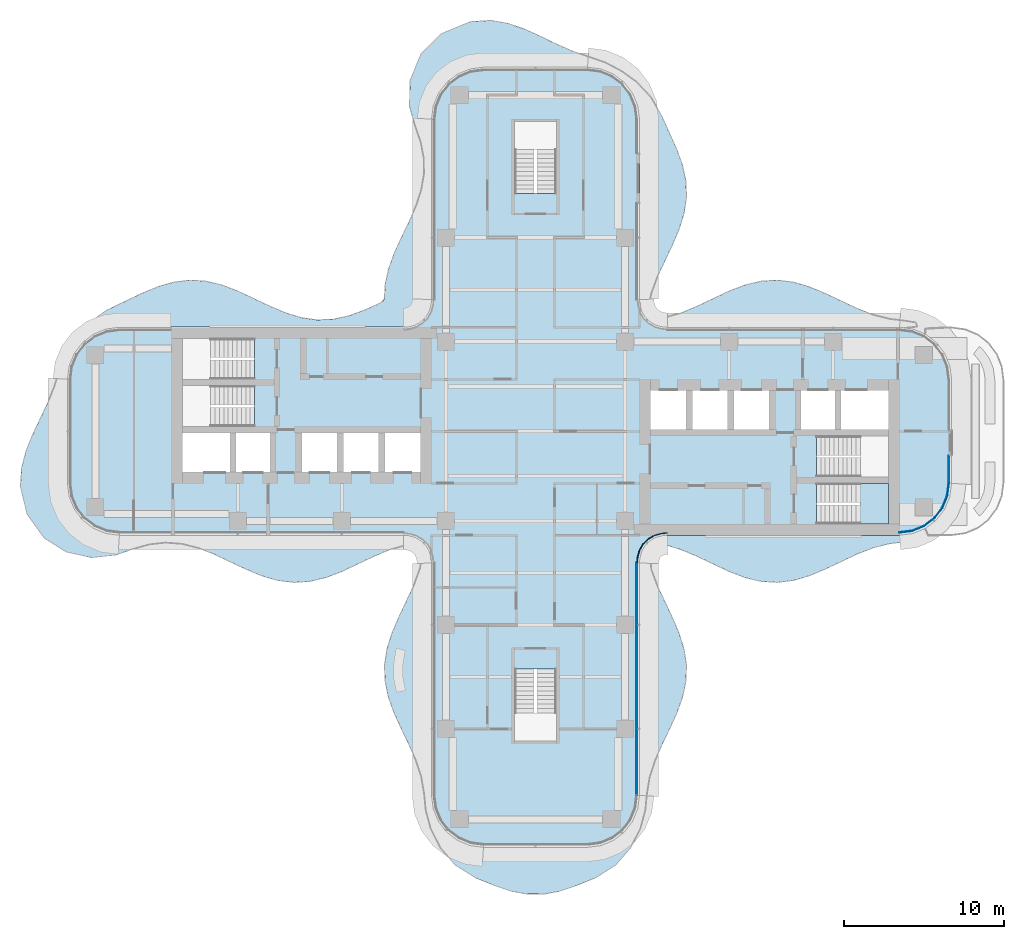
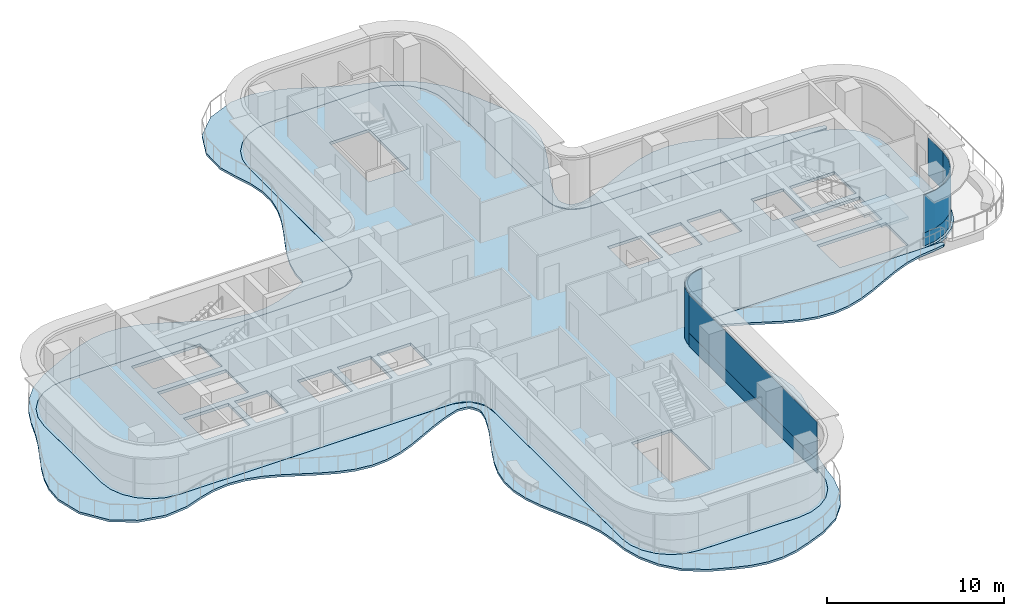
# One storey, part 10 of 17: 6 plates, 3 slabs, 5 elements without a shape of their own.
"""IFC4 building model written with IfcOpenShell, lengths in metres."""

from ifc_helpers import new_model, si_unit, direction, frame, origin, place, context, subcontext, project, spatial, polyline, outline, extrude, source, transform, mapped, material, layer, layer_set, type_object, element, aggregate, save


model = new_model("IFC4")

# Units and contexts
model_context = context("Model", 3, precision=1e-05, world=origin(), true_north=direction((0.0, 1.0)))
body_context = subcontext(model_context, "Body", "Model", "MODEL_VIEW")
ifc_project = project(units=[si_unit("LENGTHUNIT", "METRE"), si_unit("AREAUNIT", "SQUARE_METRE"), si_unit("VOLUMEUNIT", "CUBIC_METRE"), si_unit("PLANEANGLEUNIT", "RADIAN"), si_unit("MASSUNIT", "GRAM", prefix="KILO")], contexts=[model_context])

# Site, building, storey
site_placement = place(None, origin())
site = spatial("IfcSite", under=ifc_project, at=site_placement, CompositionType="ELEMENT")
building_placement = place(site_placement, origin())
building = spatial("IfcBuilding", under=site, at=building_placement, Name="Trellis Farm Tower", CompositionType="ELEMENT")
storey_placement = place(building_placement, frame((0.0, 0.0, 220.699951171875)))
storey = spatial("IfcBuildingStorey", under=building, at=storey_placement, Name="L48", CompositionType="ELEMENT", Elevation=220.699951171875)

# Slab
ifc_material_1 = material(Name="Concrete C40/50", Category="concrete")
ifc_layer_1 = layer(ifc_material_1, 0.14990234375)
ifc_layer_set_1 = layer_set([ifc_layer_1], Name="Balcony slab 150")
slab_type_1 = type_object("IfcSlabType", Name="Balcony slab 150", PredefinedType="FLOOR", material=ifc_layer_set_1)
slab_1_placement = place(storey_placement, frame((0.0, 0.0, -0.14990234375)))
element("IfcSlab", 1, at=slab_1_placement, inside=storey, type_object=slab_type_1, Name="Balcony slab", PredefinedType="FLOOR", context=body_context, shape_type="SweptSolid", body=[
    extrude(outline(polyline([(-22.076171875, -7.035400390625), (-23.122802734375, -6.95458984375), (-23.13720703125, -6.955078125), (-24.118408203125, -7.066162109375), (-24.130126953125, -7.068603515625), (-25.104736328125, -7.341064453125), (-25.109130859375, -7.342529296875), (-26.20458984375, -7.724609375), (-26.23779296875, -7.732177734375), (-27.6923828125, -7.89111328125), (-27.740478515625, -7.888427734375), (-29.274658203125, -7.55224609375), (-29.3212890625, -7.533447265625), (-30.644287109375, -6.7177734375), (-30.66796875, -6.699462890625), (-30.696044921875, -6.673095703125), (-30.7158203125, -6.650634765625), (-31.75830078125, -5.189697265625), (-31.772705078125, -5.16455078125), (-31.7880859375, -5.130615234375), (-31.79736328125, -5.103271484375), (-32.18212890625, -3.4912109375), (-32.185791015625, -3.446533203125), (-32.10888671875, -2.28173828125), (-32.104248046875, -2.253173828125), (-31.839599609375, -1.2509765625), (-31.833740234375, -1.233642578125), (-31.44189453125, -0.252197265625), (-31.43798828125, -0.243408203125), (-30.4921875, 1.7529296875), (-30.490478515625, 1.756591796875), (-30.0849609375, 2.754150390625), (-30.0830078125, 2.75927734375), (-29.7392578125, 3.813232421875), (-29.735107421875, 3.823974609375), (-29.310302734375, 4.8544921875), (-29.30078125, 4.8740234375), (-28.708984375, 5.87109375), (-28.6923828125, 5.893798828125), (-27.921630859375, 6.765625), (-27.8955078125, 6.7890625), (-26.7958984375, 7.563232421875), (-26.7744140625, 7.57568359375), (-24.6015625, 8.616943359375), (-24.593994140625, 8.6201171875), (-23.601318359375, 9.031982421875), (-23.585693359375, 9.037353515625), (-22.6015625, 9.322021484375), (-22.577880859375, 9.326904296875), (-21.602294921875, 9.444580078125), (-21.57470703125, 9.445556640625), (-20.603515625, 9.38232421875), (-20.578369140625, 9.37841796875), (-19.626708984375, 9.150634765625), (-19.6083984375, 9.14501953125), (-18.607177734375, 8.76513671875), (-18.59619140625, 8.760498046875), (-16.617919921875, 7.82568359375), (-16.614990234375, 7.824462890625), (-15.630615234375, 7.406982421875), (-15.623291015625, 7.404296875), (-14.642822265625, 7.104248046875), (-14.631591796875, 7.101806640625), (-13.650634765625, 6.961181640625), (-13.636962890625, 6.960693359375), (-12.64990234375, 7.0009765625), (-12.636962890625, 7.002685546875), (-11.641357421875, 7.221923828125), (-11.631591796875, 7.224853515625), (-10.60498046875, 7.60302734375), (-10.599609375, 7.60546875), (-9.640625, 8.046875), (-9.626220703125, 8.0556640625), (-9.522216796875, 8.1357421875), (-9.501220703125, 8.16162109375), (-9.446044921875, 8.272216796875), (-9.4384765625, 8.302490234375), (-9.40576171875, 9.106201171875), (-9.402587890625, 9.13134765625), (-9.19482421875, 10.1044921875), (-9.189208984375, 10.124267578125), (-8.835693359375, 11.103271484375), (-8.831298828125, 11.114501953125), (-8.38134765625, 12.101806640625), (-8.3798828125, 12.104736328125), (-7.8974609375, 13.105224609375), (-7.896240234375, 13.10791015625), (-7.458251953125, 14.112548828125), (-7.455810546875, 14.119140625), (-7.14453125, 15.06884765625), (-7.14208984375, 15.079345703125), (-6.972900390625, 16.059814453125), (-6.9716796875, 16.0732421875), (-6.9814453125, 17.058837890625), (-6.98291015625, 17.072265625), (-7.173583984375, 18.066650390625), (-7.17626953125, 18.076904296875), (-7.52880859375, 19.09619140625), (-7.53125, 19.103271484375), (-7.8701171875, 20.263671875), (-7.876220703125, 20.30859375), (-7.84619140625, 21.885986328125), (-7.843017578125, 21.9140625), (-7.835693359375, 21.948486328125), (-7.82763671875, 21.974853515625), (-7.194091796875, 23.516357421875), (-7.18017578125, 23.542724609375), (-7.15869140625, 23.57470703125), (-7.1396484375, 23.597900390625), (-5.887451171875, 24.841796875), (-5.86474609375, 24.860107421875), (-5.83349609375, 24.881103515625), (-5.806884765625, 24.89501953125), (-4.121337890625, 25.5791015625), (-4.07470703125, 25.589599609375), (-2.790283203125, 25.673828125), (-2.75390625, 25.671875), (-1.750244140625, 25.491455078125), (-1.728515625, 25.48583984375), (-0.751220703125, 25.15380859375), (-0.73876953125, 25.14892578125), (0.2421875, 24.71337890625), (0.24658203125, 24.711181640625), (1.24072265625, 24.23095703125), (1.24267578125, 24.230224609375), (2.226318359375, 23.787353515625), (2.232666015625, 23.784912109375), (4.3564453125, 23.04833984375), (4.377197265625, 23.03955078125), (5.372314453125, 22.515869140625), (5.390380859375, 22.504638671875), (6.29931640625, 21.847900390625), (6.320068359375, 21.82958984375), (7.1875, 20.91748046875), (7.208740234375, 20.888916015625), (7.880859375, 19.72021484375), (7.887451171875, 19.707275390625), (8.831298828125, 17.6142578125), (8.835693359375, 17.603515625), (9.189208984375, 16.624267578125), (9.19482421875, 16.6044921875), (9.40234375, 15.63232421875), (9.405517578125, 15.606201171875), (9.438720703125, 14.635009765625), (9.43701171875, 14.607421875), (9.289794921875, 13.630615234375), (9.284423828125, 13.608154296875), (8.97509765625, 12.62255859375), (8.969970703125, 12.6083984375), (8.539306640625, 11.606689453125), (8.537109375, 11.60205078125), (7.60546875, 9.624755859375), (7.60302734375, 9.61865234375), (7.224853515625, 8.586181640625), (7.221435546875, 8.57373046875), (7.106201171875, 7.93701171875), (7.106201171875, 7.90966796875), (7.14794921875, 7.690185546875), (7.157958984375, 7.664794921875), (7.35791015625, 7.341796875), (7.3681640625, 7.328857421875), (7.458251953125, 7.237060546875), (7.485595703125, 7.21923828125), (7.606689453125, 7.1748046875), (7.622802734375, 7.1708984375), (8.080078125, 7.111083984375), (8.096435546875, 7.11083984375), (8.23095703125, 7.122802734375), (8.246826171875, 7.125732421875), (9.0908203125, 7.39208984375), (9.097412109375, 7.39453125), (10.114990234375, 7.824462890625), (10.117919921875, 7.82568359375), (12.10791015625, 8.765380859375), (12.11865234375, 8.77001953125), (13.0869140625, 9.138427734375), (13.105224609375, 9.14404296875), (14.078125, 9.37841796875), (14.10400390625, 9.38232421875), (15.106689453125, 9.444580078125), (15.134765625, 9.443603515625), (16.10546875, 9.3212890625), (16.128662109375, 9.31640625), (17.085693359375, 9.037353515625), (17.101318359375, 9.031982421875), (18.102783203125, 8.616455078125), (18.109375, 8.61328125), (20.08740234375, 7.6767578125), (20.092041015625, 7.6748046875), (21.07470703125, 7.290771484375), (21.08349609375, 7.287841796875), (22.1162109375, 7.027099609375), (22.12548828125, 7.025146484375), (23.154052734375, 6.901123046875), (23.160888671875, 6.900146484375), (23.771484375, 6.7978515625), (23.864990234375, 6.7421875), (23.89599609375, 6.6376953125), (23.84814453125, 6.53955078125), (23.74658203125, 6.5), (22.754638671875, 6.5), (22.75, 6.50048828125), (20.997802734375, 6.50048828125), (8.16357421875, 6.507568359375), (8.116455078125, 6.515380859375), (7.252685546875, 6.802001953125), (7.210693359375, 6.823974609375), (7.16552734375, 6.857421875), (7.133056640625, 6.890380859375), (6.643798828125, 7.5703125), (6.62548828125, 7.604248046875), (6.608154296875, 7.64990234375), (6.59912109375, 7.6875), (6.501953125, 8.593017578125), (6.5009765625, 8.609130859375), (6.50048828125, 12.591552734375), (6.50048828125, 19.5), (6.389892578125, 20.34130859375), (6.065185546875, 21.125244140625), (5.548583984375, 21.798583984375), (4.875244140625, 22.315185546875), (4.09130859375, 22.639892578125), (3.25, 22.75048828125), (-3.25, 22.75048828125), (-4.09130859375, 22.639892578125), (-4.875244140625, 22.315185546875), (-5.548583984375, 21.798583984375), (-6.065185546875, 21.125244140625), (-6.389892578125, 20.34130859375), (-6.50048828125, 19.5), (-6.50048828125, 18.26318359375), (-6.508056640625, 8.158203125), (-6.515869140625, 8.110595703125), (-6.8046875, 7.248046875), (-6.82666015625, 7.205810546875), (-6.860595703125, 7.16064453125), (-6.8935546875, 7.12841796875), (-7.575927734375, 6.64208984375), (-7.60986328125, 6.623779296875), (-7.6552734375, 6.606689453125), (-7.69287109375, 6.59765625), (-8.61767578125, 6.500732421875), (-8.62158203125, 6.50048828125), (-26.0, 6.50048828125), (-26.84130859375, 6.389892578125), (-27.625244140625, 6.065185546875), (-28.298583984375, 5.548583984375), (-28.815185546875, 4.875244140625), (-29.139892578125, 4.09130859375), (-29.25048828125, 3.25), (-29.25048828125, -3.25), (-29.139892578125, -4.09130859375), (-28.815185546875, -4.875244140625), (-28.298583984375, -5.548583984375), (-27.625244140625, -6.065185546875), (-26.84130859375, -6.389892578125), (-26.0, -6.50048828125), (-23.765869140625, -6.50048828125), (-8.16357421875, -6.507568359375), (-8.116455078125, -6.515380859375), (-7.252685546875, -6.802001953125), (-7.210693359375, -6.823974609375), (-7.16552734375, -6.857421875), (-7.133056640625, -6.890380859375), (-6.643798828125, -7.5703125), (-6.62548828125, -7.604248046875), (-6.608154296875, -7.64990234375), (-6.59912109375, -7.6875), (-6.501953125, -8.593017578125), (-6.5009765625, -8.609130859375), (-6.50048828125, -14.179931640625), (-6.50048828125, -22.75), (-6.389892578125, -23.59130859375), (-6.065185546875, -24.375244140625), (-5.548583984375, -25.048583984375), (-4.875244140625, -25.565185546875), (-4.09130859375, -25.889892578125), (-3.25, -26.00048828125), (3.25, -26.00048828125), (4.09130859375, -25.889892578125), (4.875244140625, -25.565185546875), (5.548583984375, -25.048583984375), (6.065185546875, -24.375244140625), (6.389892578125, -23.59130859375), (6.50048828125, -22.75), (6.50048828125, -8.616455078125), (6.500732421875, -8.61181640625), (6.59912109375, -7.6875), (6.608154296875, -7.64990234375), (6.62548828125, -7.604248046875), (6.643798828125, -7.5703125), (7.133056640625, -6.890380859375), (7.16552734375, -6.857421875), (7.210693359375, -6.823974609375), (7.252685546875, -6.802001953125), (8.116455078125, -6.515380859375), (8.16357421875, -6.507568359375), (20.997802734375, -6.50048828125), (22.75, -6.50048828125), (22.754638671875, -6.5), (23.74658203125, -6.5), (23.84814453125, -6.53955078125), (23.89599609375, -6.6376953125), (23.864990234375, -6.7421875), (23.771484375, -6.7978515625), (23.160888671875, -6.900146484375), (23.154052734375, -6.901123046875), (22.12548828125, -7.025390625), (22.1162109375, -7.02685546875), (21.125, -7.274658203125), (21.1162109375, -7.27734375), (20.09228515625, -7.6748046875), (20.087158203125, -7.6767578125), (18.109375, -8.61328125), (18.102783203125, -8.616455078125), (17.119384765625, -9.025390625), (17.10400390625, -9.031005859375), (16.12890625, -9.31640625), (16.10546875, -9.3212890625), (15.134765625, -9.443603515625), (15.106689453125, -9.444580078125), (14.10400390625, -9.38232421875), (14.078125, -9.37841796875), (13.105224609375, -9.14404296875), (13.0869140625, -9.138427734375), (12.107177734375, -8.76513671875), (12.096435546875, -8.760498046875), (10.117919921875, -7.82568359375), (10.114990234375, -7.824462890625), (9.12841796875, -7.406005859375), (9.121826171875, -7.40380859375), (8.246826171875, -7.1259765625), (8.23095703125, -7.122802734375), (8.096435546875, -7.11083984375), (8.080078125, -7.111083984375), (7.622802734375, -7.1708984375), (7.606689453125, -7.1748046875), (7.485595703125, -7.21923828125), (7.458251953125, -7.237060546875), (7.3681640625, -7.328857421875), (7.35791015625, -7.341796875), (7.157958984375, -7.664794921875), (7.14794921875, -7.690185546875), (7.1064453125, -7.909423828125), (7.1064453125, -7.93701171875), (7.23779296875, -8.633056640625), (7.2412109375, -8.645263671875), (7.60302734375, -9.61865234375), (7.60546875, -9.62451171875), (8.537109375, -11.602294921875), (8.539306640625, -11.606689453125), (8.9638671875, -12.591796875), (8.968994140625, -12.606201171875), (9.284423828125, -13.6083984375), (9.289794921875, -13.630615234375), (9.43505859375, -14.57568359375), (9.436767578125, -14.602783203125), (9.4091796875, -15.5751953125), (9.406005859375, -15.601806640625), (9.19482421875, -16.6044921875), (9.189208984375, -16.62451171875), (8.835693359375, -17.603271484375), (8.831298828125, -17.614501953125), (8.38134765625, -18.601806640625), (8.3798828125, -18.604736328125), (7.8974609375, -19.605224609375), (7.896240234375, -19.60791015625), (7.458251953125, -20.6123046875), (7.45556640625, -20.619384765625), (7.132080078125, -21.619873046875), (7.12939453125, -21.630615234375), (6.96533203125, -22.621826171875), (6.964599609375, -22.626708984375), (6.85791015625, -23.6875), (6.853271484375, -23.7119140625), (6.54736328125, -24.83837890625), (6.535888671875, -24.86767578125), (5.930908203125, -26.046630859375), (5.910400390625, -26.07666015625), (5.0166015625, -27.100341796875), (4.9833984375, -27.128662109375), (3.753173828125, -27.8994140625), (3.729248046875, -27.91162109375), (2.505859375, -28.401611328125), (2.498291015625, -28.404541015625), (1.52099609375, -28.736083984375), (1.5, -28.741455078125), (0.528564453125, -28.921142578125), (0.501708984375, -28.923583984375), (-0.47021484375, -28.926513671875), (-0.4970703125, -28.924072265625), (-1.475341796875, -28.747802734375), (-1.49658203125, -28.7421875), (-2.498046875, -28.404541015625), (-2.505859375, -28.401611328125), (-3.72900390625, -27.911865234375), (-3.75341796875, -27.899169921875), (-5.0224609375, -27.09521484375), (-5.055908203125, -27.066162109375), (-5.93408203125, -26.0419921875), (-5.9541015625, -26.012451171875), (-6.5361328125, -24.8671875), (-6.547119140625, -24.838623046875), (-6.853271484375, -23.7119140625), (-6.85791015625, -23.6875), (-6.9677734375, -22.6044921875), (-6.968505859375, -22.599609375), (-7.14208984375, -21.5791015625), (-7.144775390625, -21.568359375), (-7.467529296875, -20.587890625), (-7.47021484375, -20.5810546875), (-7.896240234375, -19.60791015625), (-7.897216796875, -19.60546875), (-8.381591796875, -18.601318359375), (-8.383056640625, -18.598388671875), (-8.83642578125, -17.601318359375), (-8.84130859375, -17.58984375), (-9.19580078125, -16.601318359375), (-9.201416015625, -16.581298828125), (-9.406005859375, -15.601806640625), (-9.4091796875, -15.575439453125), (-9.436767578125, -14.60302734375), (-9.43505859375, -14.57568359375), (-9.28369140625, -13.6044921875), (-9.2783203125, -13.582275390625), (-8.968994140625, -12.60595703125), (-8.9638671875, -12.591796875), (-8.539306640625, -11.606689453125), (-8.537109375, -11.602294921875), (-7.60546875, -9.624755859375), (-7.60302734375, -9.61865234375), (-7.224853515625, -8.586181640625), (-7.221435546875, -8.57373046875), (-7.106201171875, -7.93701171875), (-7.106201171875, -7.90966796875), (-7.14794921875, -7.690185546875), (-7.157958984375, -7.664794921875), (-7.35791015625, -7.341796875), (-7.3681640625, -7.328857421875), (-7.458251953125, -7.237060546875), (-7.485595703125, -7.21923828125), (-7.606689453125, -7.1748046875), (-7.622802734375, -7.1708984375), (-8.080078125, -7.111083984375), (-8.096435546875, -7.11083984375), (-8.23095703125, -7.122802734375), (-8.246826171875, -7.1259765625), (-9.121826171875, -7.40380859375), (-9.12841796875, -7.406005859375), (-10.114990234375, -7.824462890625), (-10.117919921875, -7.82568359375), (-12.096435546875, -8.760498046875), (-12.107177734375, -8.76513671875), (-13.0869140625, -9.138427734375), (-13.105224609375, -9.14404296875), (-14.078369140625, -9.37841796875), (-14.103759765625, -9.38232421875), (-15.074462890625, -9.445556640625), (-15.102294921875, -9.444580078125), (-16.105224609375, -9.3212890625), (-16.12890625, -9.31640625), (-17.10400390625, -9.031005859375), (-17.119384765625, -9.025390625), (-18.102783203125, -8.616455078125), (-18.109375, -8.61328125), (-20.08740234375, -7.6767578125), (-20.092041015625, -7.6748046875), (-21.07470703125, -7.29052734375), (-21.08349609375, -7.287841796875), (-22.063232421875, -7.037353515625), (-22.076171875, -7.035400390625)])), origin(), (0.0, 0.0, 1.0), 0.14990234375),
])

# Curtain wall, plate
ifc_material_2 = material(Name="Aluminium and glass curtain wall", Category="aluminium")
ifc_layer_2 = layer(ifc_material_2, 0.18994140625)
ifc_layer_set_2 = layer_set([ifc_layer_2], Name="RIBBON CURTAIN WALL CW1")
curtain_wall_type_1 = type_object("IfcCurtainWallType", Name="RIBBON CURTAIN WALL CW1", PredefinedType="NOTDEFINED", material=ifc_layer_set_2)
placement_1 = place(storey_placement, origin())
curtain_wall_1 = element("IfcCurtainWall", 2, at=placement_1, inside=storey, type_object=curtain_wall_type_1, Name="CW1 006", PredefinedType="NOTDEFINED")
ifc_material_3 = material(Name="Clear insulated glass", Category="glass")
ifc_layer_3 = layer(ifc_material_3, 0.0400390625)
ifc_layer_set_3 = layer_set([ifc_layer_3], Name="CW1 GLASS PANEL 40")
plate_type_1 = type_object("IfcPlateType", Name="CW1 GLASS PANEL 40", PredefinedType="CURTAIN_PANEL", material=ifc_layer_set_3)
placement_2 = place(storey_placement, frame((0.0, 0.0, 0.900146484375)))
plate_1 = element("IfcPlate", 3, at=placement_2, type_object=plate_type_1, Name="PL1 006", PredefinedType="CURTAIN_PANEL", context=body_context, shape_type="SweptSolid", body=[
    extrude(outline(polyline([(25.85009765625, -3.240234375), (25.85009765625, -1.5400390625), (25.81005859375, -1.5400390625), (25.81005859375, -3.237548828125), (25.85009765625, -3.240234375)])), origin(), (0.0, 0.0, 1.0), 2.619873046875),
])
aggregate(curtain_wall_1, [plate_1])

# Slab
ifc_layer_4 = layer(ifc_material_1, 0.199951171875)
ifc_layer_set_4 = layer_set([ifc_layer_4], Name="Composite deck floor slab 200")
slab_type_2 = type_object("IfcSlabType", Name="Composite deck floor slab 200", PredefinedType="FLOOR", material=ifc_layer_set_4)
shared_shape_1 = source(origin(), body_context, "Body", "SweptSolid", [
    extrude(outline(polyline([(-26.84130859375, -6.389404296875), (-27.625, -6.064697265625), (-28.298095703125, -5.548095703125), (-28.814697265625, -4.875), (-29.139404296875, -4.09130859375), (-29.25, -3.25), (-29.25, 3.25), (-29.139404296875, 4.09130859375), (-28.814697265625, 4.875), (-28.298095703125, 5.548095703125), (-27.625, 6.064697265625), (-26.84130859375, 6.389404296875), (-26.0, 6.5), (-8.2314453125, 6.5), (-8.01953125, 6.513916015625), (-7.91552734375, 6.527587890625), (-7.508544921875, 6.63671875), (-7.144287109375, 6.846923828125), (-6.846923828125, 7.144287109375), (-6.63671875, 7.508544921875), (-6.527587890625, 7.91552734375), (-6.513916015625, 8.01953125), (-6.5, 8.2314453125), (-6.5, 19.5), (-6.389404296875, 20.34130859375), (-6.064697265625, 21.125), (-5.548095703125, 21.798095703125), (-4.875, 22.314697265625), (-4.09130859375, 22.639404296875), (-3.25, 22.75), (3.25, 22.75), (4.09130859375, 22.639404296875), (4.875, 22.314697265625), (5.548095703125, 21.798095703125), (6.064697265625, 21.125), (6.389404296875, 20.34130859375), (6.5, 19.5), (6.5, 8.2314453125), (6.513916015625, 8.01953125), (6.527587890625, 7.91552734375), (6.63671875, 7.508544921875), (6.846923828125, 7.144287109375), (7.144287109375, 6.846923828125), (7.508544921875, 6.63671875), (7.91552734375, 6.527587890625), (8.01953125, 6.513916015625), (8.2314453125, 6.5), (22.75, 6.5), (23.59130859375, 6.389404296875), (24.375, 6.064697265625), (25.048095703125, 5.548095703125), (25.564697265625, 4.875), (25.889404296875, 4.09130859375), (26.0, 3.25), (26.0, -3.25), (25.889404296875, -4.09130859375), (25.564697265625, -4.875), (25.048095703125, -5.548095703125), (24.375, -6.064697265625), (23.59130859375, -6.389404296875), (22.75, -6.5), (8.2314453125, -6.5), (8.01953125, -6.513916015625), (7.91552734375, -6.527587890625), (7.508544921875, -6.63671875), (7.144287109375, -6.846923828125), (6.846923828125, -7.144287109375), (6.63671875, -7.508544921875), (6.527587890625, -7.91552734375), (6.513916015625, -8.01953125), (6.5, -8.2314453125), (6.5, -22.75), (6.389404296875, -23.59130859375), (6.064697265625, -24.375), (5.548095703125, -25.048095703125), (4.875, -25.564697265625), (4.09130859375, -25.889404296875), (3.25, -26.0), (-3.25, -26.0), (-4.09130859375, -25.889404296875), (-4.875, -25.564697265625), (-5.548095703125, -25.048095703125), (-6.064697265625, -24.375), (-6.389404296875, -23.59130859375), (-6.5, -22.75), (-6.5, -8.2314453125), (-6.513916015625, -8.01953125), (-6.527587890625, -7.91552734375), (-6.63671875, -7.508544921875), (-6.846923828125, -7.144287109375), (-7.144287109375, -6.846923828125), (-7.508544921875, -6.63671875), (-7.91552734375, -6.527587890625), (-8.01953125, -6.513916015625), (-8.2314453125, -6.5), (-26.0, -6.5), (-26.84130859375, -6.389404296875)]), holes=[polyline([(-22.050048828125, -0.10009765625), (-22.050048828125, -2.550048828125), (-19.10009765625, -2.550048828125), (-19.10009765625, -0.10009765625), (-22.050048828125, -0.10009765625)]), polyline([(-18.699951171875, -0.10009765625), (-18.699951171875, -2.550048828125), (-16.60009765625, -2.550048828125), (-16.60009765625, -0.10009765625), (-18.699951171875, -0.10009765625)]), polyline([(-14.60009765625, -0.10009765625), (-14.60009765625, -2.550048828125), (-12.39990234375, -2.550048828125), (-12.39990234375, -0.10009765625), (-14.60009765625, -0.10009765625)]), polyline([(-12.0, -0.10009765625), (-12.0, -2.550048828125), (-9.800048828125, -2.550048828125), (-9.800048828125, -0.10009765625), (-12.0, -0.10009765625)]), polyline([(-9.39990234375, -0.10009765625), (-9.39990234375, -2.550048828125), (-7.199951171875, -2.550048828125), (-7.199951171875, -0.10009765625), (-9.39990234375, -0.10009765625)]), polyline([(-17.56201171875, 1.64990234375), (-17.56201171875, 2.85009765625), (-22.050048828125, 2.85009765625), (-22.050048828125, 0.300048828125), (-17.56005859375, 0.300048828125), (-17.56005859375, 1.5), (-17.550048828125, 1.5), (-17.550048828125, 1.64990234375), (-17.56201171875, 1.64990234375)]), polyline([(-17.56201171875, 4.60009765625), (-17.56201171875, 5.800048828125), (-22.050048828125, 5.800048828125), (-22.050048828125, 3.25), (-17.56005859375, 3.25), (-17.56005859375, 4.449951171875), (-17.550048828125, 4.449951171875), (-17.550048828125, 4.60009765625), (-17.56201171875, 4.60009765625)]), polyline([(0.10009765625, 14.862060546875), (1.300048828125, 14.862060546875), (1.300048828125, 19.35009765625), (-1.300048828125, 19.35009765625), (-1.300048828125, 14.860107421875), (-0.10009765625, 14.860107421875), (-0.10009765625, 14.85009765625), (0.10009765625, 14.85009765625), (0.10009765625, 14.862060546875)]), polyline([(-0.10009765625, -14.862060546875), (-1.300048828125, -14.862060546875), (-1.300048828125, -19.35009765625), (1.300048828125, -19.35009765625), (1.300048828125, -14.860107421875), (0.10009765625, -14.860107421875), (0.10009765625, -14.85009765625), (-0.10009765625, -14.85009765625), (-0.10009765625, -14.862060546875)]), polyline([(17.56201171875, -4.60009765625), (17.56201171875, -5.800048828125), (22.050048828125, -5.800048828125), (22.050048828125, -3.25), (17.56005859375, -3.25), (17.56005859375, -4.449951171875), (17.550048828125, -4.449951171875), (17.550048828125, -4.60009765625), (17.56201171875, -4.60009765625)]), polyline([(17.56201171875, -1.64990234375), (17.56201171875, -2.85009765625), (22.050048828125, -2.85009765625), (22.050048828125, -0.300048828125), (17.56005859375, -0.300048828125), (17.56005859375, -1.5), (17.550048828125, -1.5), (17.550048828125, -1.64990234375), (17.56201171875, -1.64990234375)]), polyline([(9.39990234375, 0.10009765625), (9.39990234375, 2.550048828125), (7.199951171875, 2.550048828125), (7.199951171875, 0.10009765625), (9.39990234375, 0.10009765625)]), polyline([(12.0, 0.10009765625), (12.0, 2.550048828125), (9.800048828125, 2.550048828125), (9.800048828125, 0.10009765625), (12.0, 0.10009765625)]), polyline([(14.60009765625, 0.10009765625), (14.60009765625, 2.550048828125), (12.39990234375, 2.550048828125), (12.39990234375, 0.10009765625), (14.60009765625, 0.10009765625)]), polyline([(18.699951171875, 0.10009765625), (18.699951171875, 2.550048828125), (16.60009765625, 2.550048828125), (16.60009765625, 0.10009765625), (18.699951171875, 0.10009765625)]), polyline([(22.050048828125, 0.10009765625), (22.050048828125, 2.550048828125), (19.10009765625, 2.550048828125), (19.10009765625, 0.10009765625), (22.050048828125, 0.10009765625)])]), origin(), (0.0, 0.0, 1.0), 0.199951171875),
])
slab_2_placement = place(storey_placement, frame((0.0, 0.0, -0.199951171875)))
element("IfcSlab", 4, at=slab_2_placement, inside=storey, type_object=slab_type_2, Name="Floor slab", PredefinedType="FLOOR", context=body_context, shape_type="MappedRepresentation", body=[
    mapped(shared_shape_1, transform((0.0, 0.0, 0.0))),
])

# Stair, slab
ifc_material_4 = material(Name="Concrete C50/60", Category="concrete")
stair_type = type_object("IfcStairType", Name="CORE EXIT STAIR 22 RISERS 177 MM", PredefinedType="HALF_TURN_STAIR", material=ifc_material_4)
stair = element("IfcStair", 5, at=placement_1, inside=storey, type_object=stair_type, Name="Exit stair E1", PredefinedType="HALF_TURN_STAIR")
ifc_layer_5 = layer(ifc_material_4, 0.18994140625)
ifc_layer_set_5 = layer_set([ifc_layer_5], Name="CORE STAIR LANDING 190 CONCRETE C50/60")
slab_type_3 = type_object("IfcSlabType", Name="CORE STAIR LANDING 190 CONCRETE C50/60", PredefinedType="LANDING", material=ifc_layer_set_5)
shared_shape_2 = source(origin(), body_context, "Body", "SweptSolid", [
    extrude(outline(polyline([(20.2900390625, -5.800048828125), (20.2900390625, -4.60009765625), (20.300048828125, -4.60009765625), (20.300048828125, -4.449951171875), (19.971923828125, -4.449951171875), (19.971923828125, -3.25), (20.300048828125, -3.25), (22.050048828125, -3.25), (22.050048828125, -5.800048828125), (20.300048828125, -5.800048828125), (20.2900390625, -5.800048828125)])), origin(), (0.0, 0.0, 1.0), 0.18994140625),
])
slab_3_placement = place(storey_placement, frame((0.0, 0.0, 1.760009765625)))
slab_3 = element("IfcSlab", 6, at=slab_3_placement, type_object=slab_type_3, Name="STE1 landing 1", PredefinedType="LANDING", context=body_context, shape_type="MappedRepresentation", body=[
    mapped(shared_shape_2, transform((0.0, 0.0, 0.0))),
])
aggregate(stair, [slab_3])

# Curtain wall, plate
ifc_layer_6 = layer(ifc_material_2, 0.166015625)
ifc_layer_set_6 = layer_set([ifc_layer_6], Name="WINTER GARDEN CURTAIN WALL CW3")
curtain_wall_type_2 = type_object("IfcCurtainWallType", Name="WINTER GARDEN CURTAIN WALL CW3", PredefinedType="NOTDEFINED", material=ifc_layer_set_6)
curtain_wall_2 = element("IfcCurtainWall", 7, at=placement_1, inside=storey, type_object=curtain_wall_type_2, Name="CW3 002", PredefinedType="NOTDEFINED")
ifc_layer_7 = layer(ifc_material_3, 0.0458984375)
ifc_layer_set_7 = layer_set([ifc_layer_7], Name="CW3 GLASS PANEL 46")
plate_type_2 = type_object("IfcPlateType", Name="CW3 GLASS PANEL 46", PredefinedType="CURTAIN_PANEL", material=ifc_layer_set_7)
shared_shape_3 = source(origin(), body_context, "Body", "SweptSolid", [
    extrude(outline(polyline([(6.3798828125, -8.2275390625), (6.394287109375, -8.0078125), (6.40966796875, -7.89208984375), (6.52490234375, -7.462158203125), (6.7509765625, -7.070556640625), (7.070556640625, -6.7509765625), (7.462158203125, -6.52490234375), (7.89208984375, -6.40966796875), (8.0078125, -6.394287109375), (8.2275390625, -6.3798828125), (8.22607421875, -6.333984375), (8.003173828125, -6.3486328125), (7.883056640625, -6.364501953125), (7.4443359375, -6.48193359375), (7.04248046875, -6.714111328125), (6.714111328125, -7.04248046875), (6.48193359375, -7.4443359375), (6.364501953125, -7.883056640625), (6.3486328125, -8.003173828125), (6.333984375, -8.22607421875), (6.3798828125, -8.2275390625)])), origin(), (0.0, 0.0, 1.0), 3.550048828125),
])
plate_2 = element("IfcPlate", 8, at=placement_1, type_object=plate_type_2, Name="PL3 002", PredefinedType="CURTAIN_PANEL", context=body_context, shape_type="MappedRepresentation", body=[
    mapped(shared_shape_3, transform((0.0, 0.0, 0.0))),
])
aggregate(curtain_wall_2, [plate_2])

# Curtain wall, plates
curtain_wall_3 = element("IfcCurtainWall", 9, at=placement_1, inside=storey, type_object=curtain_wall_type_1, Name="CW1 004", PredefinedType="NOTDEFINED")
shared_shape_4 = source(origin(), body_context, "Body", "SweptSolid", [
    extrude(outline(polyline([(6.35009765625, -22.740234375), (6.35009765625, -8.2265625), (6.31005859375, -8.22509765625), (6.31005859375, -22.737548828125), (6.35009765625, -22.740234375)])), origin(), (0.0, 0.0, 1.0), 2.619873046875),
])
plate_3 = element("IfcPlate", 10, at=placement_2, type_object=plate_type_1, Name="PL1 004", PredefinedType="CURTAIN_PANEL", context=body_context, shape_type="MappedRepresentation", body=[
    mapped(shared_shape_4, transform((0.0, 0.0, 0.0))),
])
ifc_material_5 = material(Name="Sandstone faced insulated panel", Category="masonry")
ifc_layer_8 = layer(ifc_material_5, 0.050048828125)
ifc_layer_set_8 = layer_set([ifc_layer_8], Name="CW1 STONE SPANDREL PANEL 50")
plate_type_3 = type_object("IfcPlateType", Name="CW1 STONE SPANDREL PANEL 50", PredefinedType="CURTAIN_PANEL", material=ifc_layer_set_8)
shared_shape_5 = source(origin(), body_context, "Body", "SweptSolid", [
    extrude(outline(polyline([(6.35009765625, -22.740234375), (6.35009765625, -8.2265625), (6.300048828125, -8.224853515625), (6.300048828125, -22.73681640625), (6.35009765625, -22.740234375)])), origin(), (0.0, 0.0, 1.0), 0.900146484375),
])
plate_4 = element("IfcPlate", 11, at=placement_1, type_object=plate_type_3, Name="PS1 004", PredefinedType="CURTAIN_PANEL", context=body_context, shape_type="MappedRepresentation", body=[
    mapped(shared_shape_5, transform((0.0, 0.0, 0.0))),
])
aggregate(curtain_wall_3, [plate_3, plate_4])

curtain_wall_4 = element("IfcCurtainWall", 12, at=placement_1, inside=storey, type_object=curtain_wall_type_1, Name="CW1 005", PredefinedType="NOTDEFINED")
shared_shape_6 = source(origin(), body_context, "Body", "SweptSolid", [
    extrude(outline(polyline([(22.740234375, -6.35009765625), (23.552001953125, -6.2431640625), (24.29931640625, -5.93359375), (24.941162109375, -5.441162109375), (25.43359375, -4.79931640625), (25.7431640625, -4.052001953125), (25.85009765625, -3.240234375), (25.81005859375, -3.237548828125), (25.7041015625, -4.04150390625), (25.398681640625, -4.779296875), (24.91259765625, -5.41259765625), (24.279296875, -5.898681640625), (23.54150390625, -6.2041015625), (22.737548828125, -6.31005859375), (22.740234375, -6.35009765625)])), origin(), (0.0, 0.0, 1.0), 2.619873046875),
])
plate_5 = element("IfcPlate", 13, at=placement_2, type_object=plate_type_1, Name="PL1 005", PredefinedType="CURTAIN_PANEL", context=body_context, shape_type="MappedRepresentation", body=[
    mapped(shared_shape_6, transform((0.0, 0.0, 0.0))),
])
shared_shape_7 = source(origin(), body_context, "Body", "SweptSolid", [
    extrude(outline(polyline([(22.740234375, -6.35009765625), (23.552001953125, -6.2431640625), (24.29931640625, -5.93359375), (24.941162109375, -5.441162109375), (25.43359375, -4.79931640625), (25.7431640625, -4.052001953125), (25.85009765625, -3.240234375), (25.800048828125, -3.23681640625), (25.6943359375, -4.0390625), (25.389892578125, -4.774169921875), (24.905517578125, -5.405517578125), (24.274169921875, -5.889892578125), (23.5390625, -6.1943359375), (22.73681640625, -6.300048828125), (22.740234375, -6.35009765625)])), origin(), (0.0, 0.0, 1.0), 0.900146484375),
])
plate_6 = element("IfcPlate", 14, at=placement_1, type_object=plate_type_3, Name="PS1 005", PredefinedType="CURTAIN_PANEL", context=body_context, shape_type="MappedRepresentation", body=[
    mapped(shared_shape_7, transform((0.0, 0.0, 0.0))),
])
aggregate(curtain_wall_4, [plate_5, plate_6])

save(model, "model.ifc")
